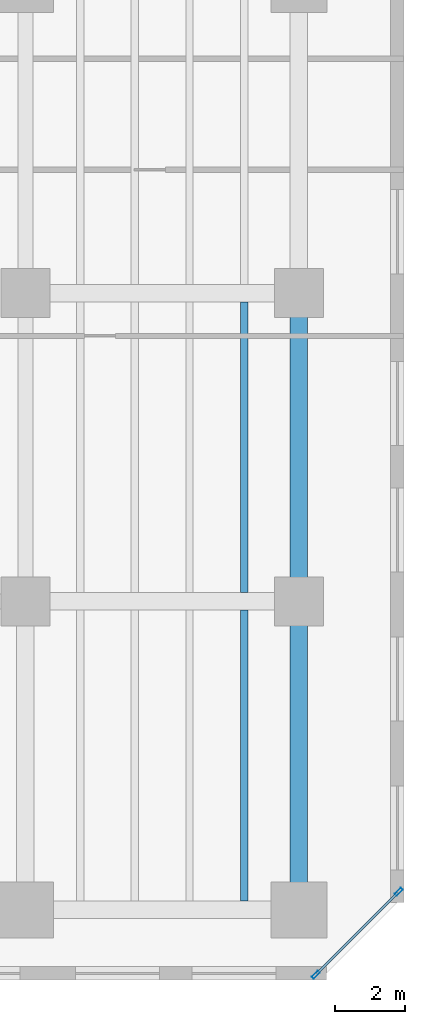
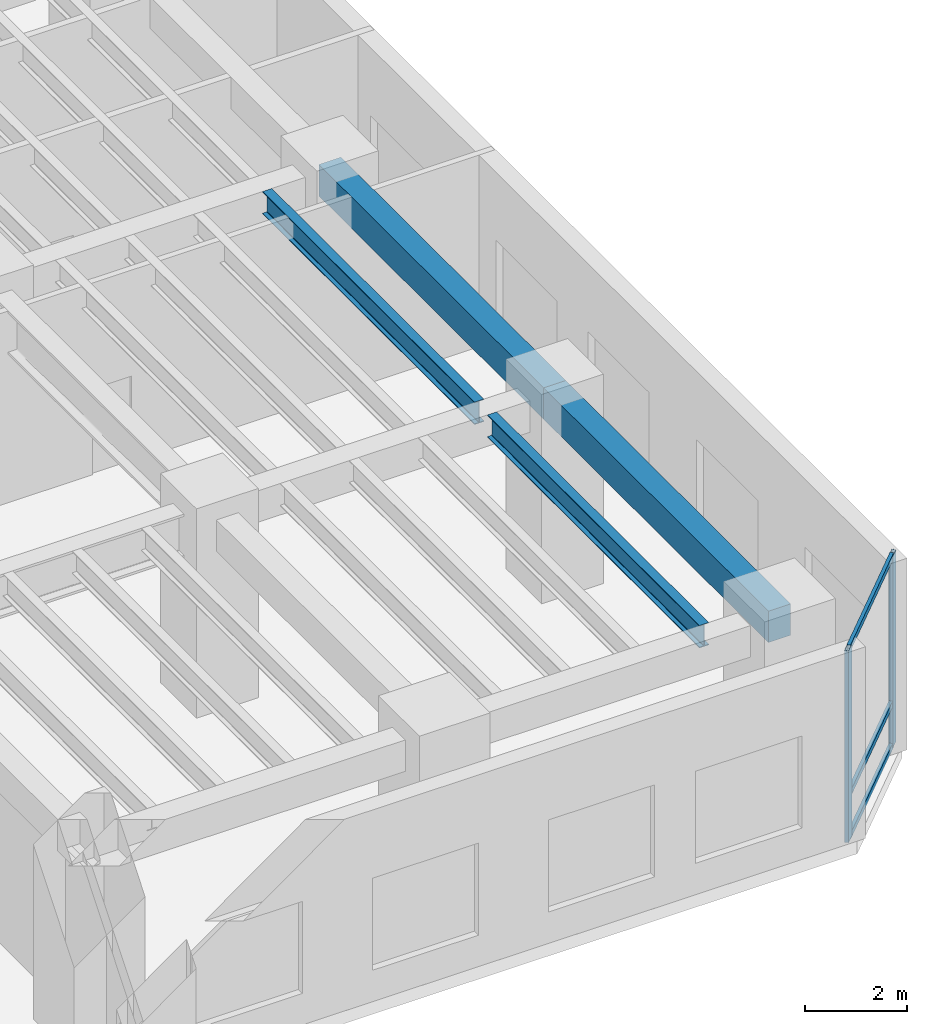
# One storey, part 6 of 20: 5 members, 4 beams, 1 element without a shape of its own.
"""IFC4 building model written with IfcOpenShell, lengths in metres."""

from ifc_helpers import new_model, si_unit, direction, frame, origin, origin_2d, place, context, subcontext, project, spatial, rectangle, hollow_rectangle, i_section, extrude, material, layer, layer_set, material_profile, profile_set, type_object, element, aggregate, save


model = new_model("IFC4")

# Units and contexts
model_context = context("Model", 3, precision=1e-05, world=origin(), true_north=direction((0.0, 1.0)))
body_context = subcontext(model_context, "Body", "Model", "MODEL_VIEW")
ifc_project = project(units=[si_unit("LENGTHUNIT", "METRE"), si_unit("AREAUNIT", "SQUARE_METRE"), si_unit("VOLUMEUNIT", "CUBIC_METRE"), si_unit("PLANEANGLEUNIT", "RADIAN"), si_unit("MASSUNIT", "GRAM", prefix="KILO")], contexts=[model_context])

# Site, building, storey
site_placement = place(None, origin())
site = spatial("IfcSite", under=ifc_project, at=site_placement, CompositionType="ELEMENT")
building_placement = place(site_placement, origin())
building = spatial("IfcBuilding", under=site, at=building_placement, Name="Kestravale Grand Hotel", CompositionType="ELEMENT")
storey_placement = place(building_placement, frame((0.0, 0.0, 15.800048828125)))
storey = spatial("IfcBuildingStorey", under=building, at=storey_placement, Name="L03", CompositionType="ELEMENT", Elevation=15.800048828125)

# Beams
ifc_material_1 = material(Name="Steel ASTM A992 Grade 50", Category="steel")
ifc_material_profile_1 = material_profile(ifc_material_1, i_section(OverallWidth=0.2099609375, OverallDepth=0.535888671875, WebThickness=0.010986328125, FlangeThickness=0.017333984375, FilletRadius=0.017578125, at=origin_2d()))
ifc_profile_set_1 = profile_set([ifc_material_profile_1], Name="Steel ASTM A992 Grade 50")
beam_type_1 = type_object("IfcBeamType", Name="B-FLR-JST21", PredefinedType="JOIST", material=ifc_profile_set_1)
for number, where, z_axis, x_axis, name in (
    (1, (76.43994140625, 2.64990234375, 4.31201171875), (0.0, 1.0, 0.0), (-1.0, 0.0, 0.0), "L03 floor joist 11-12/B-C #4"),
    (2, (76.43994140625, 11.449951171875, 4.31201171875), (0.0, 1.0, 0.0), (-1.0, 0.0, 0.0), "L03 floor joist 11-12/C-D #4"),
):
    element("IfcBeam", number, at=place(storey_placement, frame(where, z_axis=z_axis, x_axis=x_axis)), inside=storey, type_object=beam_type_1, Name=name, PredefinedType="JOIST", context=body_context, shape_type="SweptSolid", body=[
        extrude(i_section(OverallWidth=0.2099609375, OverallDepth=0.535888671875, WebThickness=0.010986328125, FlangeThickness=0.017333984375, FilletRadius=0.017578125, at=origin_2d()), origin(), (0.0, 0.0, 1.0), 8.300048828125),
    ])
ifc_material_2 = material(Name="Concrete f'c 45 MPa", Category="concrete")
ifc_material_profile_2 = material_profile(ifc_material_2, rectangle(XDim=0.5, YDim=0.75, at=origin_2d()))
ifc_profile_set_2 = profile_set([ifc_material_profile_2], Name="Concrete f'c 45 MPa")
beam_type_2 = type_object("IfcBeamType", Name="B-FLR-RC750", PredefinedType="SPANDREL", material=ifc_profile_set_2)
for number, where, z_axis, x_axis, name in (
    (3, (78.0, 2.39990234375, 4.204833984375), (0.0, 1.0, 0.0), (-1.0, 0.0, 0.0), "L03 spandrel 12:B-C"),
    (4, (78.0, 11.199951171875, 4.204833984375), (0.0, 1.0, 0.0), (-1.0, 0.0, 0.0), "L03 spandrel 12:C-D"),
):
    element("IfcBeam", number, at=place(storey_placement, frame(where, z_axis=z_axis, x_axis=x_axis)), inside=storey, type_object=beam_type_2, Name=name, PredefinedType="SPANDREL", context=body_context, shape_type="SweptSolid", body=[
        extrude(rectangle(XDim=0.5, YDim=0.75, at=origin_2d()), origin(), (0.0, 0.0, 1.0), 8.800048828125),
    ])

# Curtain wall, members
ifc_material_3 = material(Name="Thermally broken champagne-bronze aluminium and low-E glazing", Category="aluminium")
ifc_layer = layer(ifc_material_3, 0.239990234375)
ifc_layer_set = layer_set([ifc_layer], Name="CW-POD")
curtain_wall_type = type_object("IfcCurtainWallType", Name="CW-POD", PredefinedType="NOTDEFINED", material=ifc_layer_set)
curtain_wall_placement = place(storey_placement, origin())
curtain_wall = element("IfcCurtainWall", 5, at=curtain_wall_placement, inside=storey, type_object=curtain_wall_type, Name="L03 unitised curtain wall 2", PredefinedType="NOTDEFINED")
ifc_material_4 = material(Name="Aluminium 6063-T6 anodised", Category="aluminium")
ifc_material_profile_3 = material_profile(ifc_material_4, hollow_rectangle(XDim=0.0849609375, YDim=0.239990234375, WallThickness=0.00439453125, at=origin_2d()))
ifc_profile_set_3 = profile_set([ifc_material_profile_3], Name="Aluminium 6063-T6 anodised")
member_type_1 = type_object("IfcMemberType", Name="CW-MUL-240", PredefinedType="MULLION", material=ifc_profile_set_3)
member_1_placement = place(storey_placement, frame((78.4814453125, 0.55029296875, 0.0), z_axis=(0.0, 0.0, 1.0), x_axis=(-0.707106781187, 0.707106781187, 0.0)))
member_1 = element("IfcMember", 6, at=member_1_placement, type_object=member_type_1, Name="CW-POD mullion 1", PredefinedType="MULLION", context=body_context, shape_type="SweptSolid", body=[
    extrude(hollow_rectangle(XDim=0.0849609375, YDim=0.239990234375, WallThickness=0.00439453125, at=origin_2d()), origin(), (0.0, 0.0, 1.0), 4.579833984375),
])
member_2_placement = place(storey_placement, frame((80.849853515625, 2.91845703125, 0.0), z_axis=(0.0, 0.0, 1.0), x_axis=(-0.707106781187, 0.707106781187, 0.0)))
member_2 = element("IfcMember", 7, at=member_2_placement, type_object=member_type_1, Name="CW-POD mullion 2", PredefinedType="MULLION", context=body_context, shape_type="SweptSolid", body=[
    extrude(hollow_rectangle(XDim=0.0849609375, YDim=0.239990234375, WallThickness=0.00439453125, at=origin_2d()), origin(), (0.0, 0.0, 1.0), 4.579833984375),
])
ifc_material_5 = material(Name="Aluminium 6063-T6 anodised", Category="aluminium")
ifc_material_profile_4 = material_profile(ifc_material_5, hollow_rectangle(XDim=0.074951171875, YDim=0.139892578125, WallThickness=0.00341796875, at=origin_2d()))
ifc_profile_set_4 = profile_set([ifc_material_profile_4], Name="Aluminium 6063-T6 anodised")
member_type_2 = type_object("IfcMemberType", Name="CW-TRN-140", PredefinedType="USERDEFINED", material=ifc_profile_set_4)
member_3_placement = place(storey_placement, frame((78.51171875, 0.580322265625, 0.037353515625), z_axis=(0.707069380992, 0.707144179403, 0.0), x_axis=(-0.707144179403, 0.707069380992, 0.0)))
member_3 = element("IfcMember", 8, at=member_3_placement, type_object=member_type_2, Name="CW-POD transom 1.1", ObjectType="TRANSOM", PredefinedType="USERDEFINED", context=body_context, shape_type="SweptSolid", body=[
    extrude(hollow_rectangle(XDim=0.074951171875, YDim=0.139892578125, WallThickness=0.00341796875, at=origin_2d()), origin(), (0.0, 0.0, 1.0), 3.263916015625),
])
member_4_placement = place(storey_placement, frame((78.51171875, 0.580322265625, 1.050048828125), z_axis=(0.707069380992, 0.707144179403, 0.0), x_axis=(-0.707144179403, 0.707069380992, 0.0)))
member_4 = element("IfcMember", 9, at=member_4_placement, type_object=member_type_2, Name="CW-POD transom 1.2", ObjectType="TRANSOM", PredefinedType="USERDEFINED", context=body_context, shape_type="SweptSolid", body=[
    extrude(hollow_rectangle(XDim=0.074951171875, YDim=0.139892578125, WallThickness=0.00341796875, at=origin_2d()), origin(), (0.0, 0.0, 1.0), 3.263916015625),
])
member_5_placement = place(storey_placement, frame((78.51171875, 0.580322265625, 4.54248046875), z_axis=(0.707069380992, 0.707144179403, 0.0), x_axis=(-0.707144179403, 0.707069380992, 0.0)))
member_5 = element("IfcMember", 10, at=member_5_placement, type_object=member_type_2, Name="CW-POD transom 1.3", ObjectType="TRANSOM", PredefinedType="USERDEFINED", context=body_context, shape_type="SweptSolid", body=[
    extrude(hollow_rectangle(XDim=0.074951171875, YDim=0.139892578125, WallThickness=0.00341796875, at=origin_2d()), origin(), (0.0, 0.0, 1.0), 3.263916015625),
])
aggregate(curtain_wall, [member_1, member_2, member_3, member_4, member_5])

save(model, "model.ifc")
